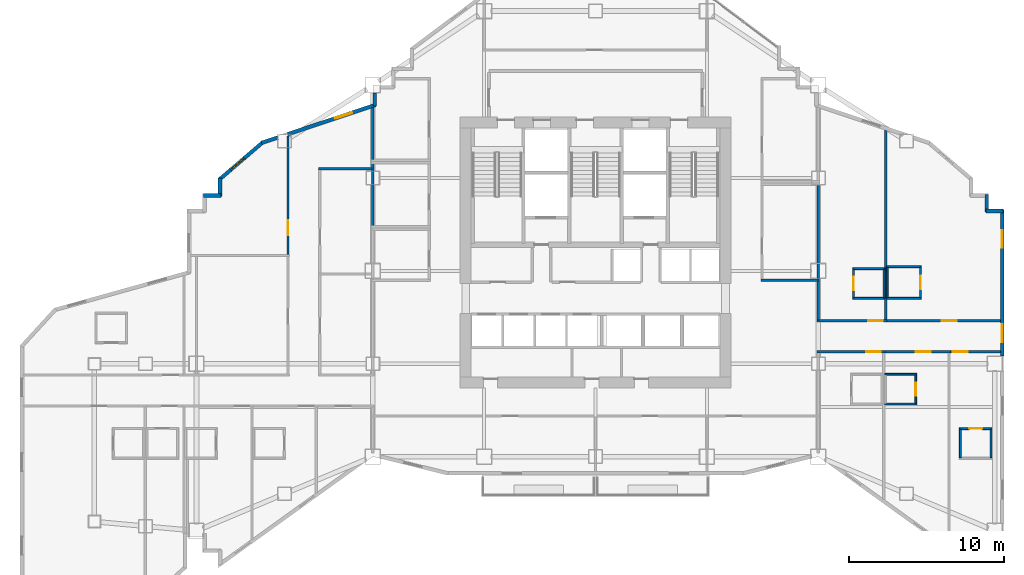
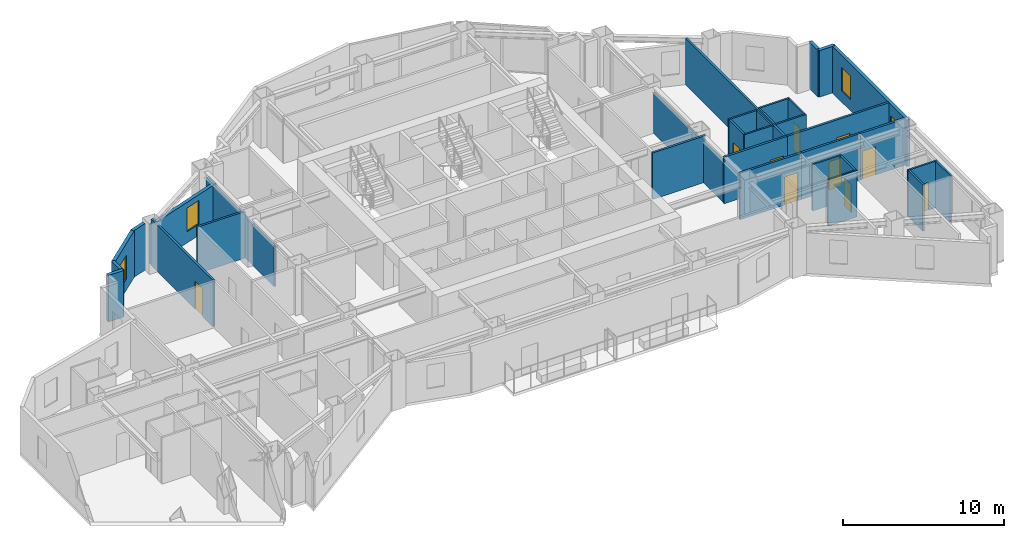
# One storey, part 10 of 14: 36 walls, 10 doors, 4 windows, 14 openings.
"""IFC4 building model written with IfcOpenShell, lengths in metres."""

from ifc_helpers import new_model, si_unit, direction, frame, frame_2d, origin, place, context, subcontext, project, spatial, rectangle, extrude, material, layer, layer_set, type_object, element, fill, save


model = new_model("IFC4")

# Units and contexts
model_context = context("Model", 3, precision=1e-05, world=origin(), true_north=direction((0.0, 1.0)))
body_context = subcontext(model_context, "Body", "Model", "MODEL_VIEW")
ifc_project = project(units=[si_unit("LENGTHUNIT", "METRE"), si_unit("AREAUNIT", "SQUARE_METRE"), si_unit("VOLUMEUNIT", "CUBIC_METRE"), si_unit("PLANEANGLEUNIT", "RADIAN"), si_unit("MASSUNIT", "GRAM", prefix="KILO")], contexts=[model_context])

# Site, building, storey
site_placement = place(None, origin())
site = spatial("IfcSite", under=ifc_project, at=site_placement, CompositionType="ELEMENT")
building_placement = place(site_placement, origin())
building = spatial("IfcBuilding", under=site, at=building_placement, Name="Haolan Belvedere Tower", CompositionType="ELEMENT")
storey_placement = place(building_placement, frame((0.0, 0.0, 132.60009765625)))
storey = spatial("IfcBuildingStorey", under=building, at=storey_placement, Name="L33", CompositionType="ELEMENT", Elevation=132.60009765625)

# Wall, openings, windows
ifc_material_1 = material(Name="Precast concrete C40/50", Category="concrete")
ifc_layer_1 = layer(ifc_material_1, 0.239990234375, Name="Precast concrete C40/50")
ifc_layer_set_1 = layer_set([ifc_layer_1], Name="Precast concrete C40/50")
wall_type_1 = type_object("IfcWallType", Name="WL-EXT-240", PredefinedType="SOLIDWALL", material=ifc_layer_set_1)
wall_1_placement = place(storey_placement, frame((64.679931640625, 28.092041015625, 0.0), z_axis=(0.0, 0.0, 1.0), x_axis=(0.0, 1.0, 0.0)))
wall_1 = element("IfcWall", 1, at=wall_1_placement, inside=storey, type_object=wall_type_1, Name="L33 pale-metal exterior spandrel wall 14.2", PredefinedType="SOLIDWALL", context=body_context, shape_type="SweptSolid", body=[
    extrude(rectangle(XDim=9.44287109375, YDim=0.239990234375, at=frame_2d((4.721435546875, 0.0))), origin(), (0.0, 0.0, 1.0), 3.539794921875),
])
opening_1_placement = place(wall_1_placement, frame((0.903076171875, 0.0, 0.85009765625)))
opening_1 = element("IfcOpeningElement", 2, at=opening_1_placement, cuts=wall_1, Name="Opening W-02", PredefinedType="OPENING", context=body_context, shape_type="SweptSolid", body=[
    extrude(rectangle(XDim=1.14990234375, YDim=1.800048828125, at=frame_2d((0.574951171875, 0.89990234375))), frame((0.0, 0.1298828125, 0.0), z_axis=(0.0, -1.0, 0.0), x_axis=(1.0, 0.0, 0.0)), (0.0, 0.0, 1.0), 0.260009765625),
])
opening_2_placement = place(wall_1_placement, frame((7.0, 0.0, 0.85009765625)))
opening_2 = element("IfcOpeningElement", 3, at=opening_2_placement, cuts=wall_1, Name="Opening W-02", PredefinedType="OPENING", context=body_context, shape_type="SweptSolid", body=[
    extrude(rectangle(XDim=1.14990234375, YDim=1.800048828125, at=frame_2d((0.574951171875, 0.89990234375))), frame((0.0, 0.1298828125, 0.0), z_axis=(0.0, -1.0, 0.0), x_axis=(1.0, 0.0, 0.0)), (0.0, 0.0, 1.0), 0.260009765625),
])
ifc_material_2 = material(Name="Anodised aluminium 6063-T6 and Low-E glass", Category="aluminium")
window_type = type_object("IfcWindowType", Name="WN-DECO-Z2", PartitioningType="SINGLE_PANEL", PredefinedType="WINDOW", material=ifc_material_2)
window_1_placement = place(opening_1_placement, origin())
window_1 = element("IfcWindow", 4, at=window_1_placement, inside=storey, type_object=window_type, Name="L33 Art Deco chevron window 1", OverallHeight=1.800048828125, OverallWidth=1.14990234375, PartitioningType="SINGLE_PANEL", PredefinedType="WINDOW", context=body_context, shape_type="SweptSolid", body=[
    extrude(rectangle(XDim=1.14990234375, YDim=1.800048828125, at=frame_2d((0.574951171875, 0.89990234375))), frame((0.0, 0.030029296875, 0.0), z_axis=(0.0, -1.0, 0.0), x_axis=(1.0, 0.0, 0.0)), (0.0, 0.0, 1.0), 0.06005859375),
])
fill(opening_1, window_1)
window_2_placement = place(opening_2_placement, origin())
window_2 = element("IfcWindow", 5, at=window_2_placement, inside=storey, type_object=window_type, Name="L33 Art Deco chevron window 2", OverallHeight=1.800048828125, OverallWidth=1.14990234375, PartitioningType="SINGLE_PANEL", PredefinedType="WINDOW", context=body_context, shape_type="SweptSolid", body=[
    extrude(rectangle(XDim=1.14990234375, YDim=1.800048828125, at=frame_2d((0.574951171875, 0.89990234375))), frame((0.0, 0.030029296875, 0.0), z_axis=(0.0, -1.0, 0.0), x_axis=(1.0, 0.0, 0.0)), (0.0, 0.0, 1.0), 0.06005859375),
])
fill(opening_2, window_2)

# Walls
wall_2_placement = place(storey_placement, frame((64.735107421875, 37.47998046875, 0.0), z_axis=(0.0, 0.0, 1.0), x_axis=(-1.0, 0.0, 0.0)))
element("IfcWall", 6, at=wall_2_placement, inside=storey, type_object=wall_type_1, Name="L33 pale-metal exterior spandrel wall 15.1", PredefinedType="SOLIDWALL", context=body_context, shape_type="SweptSolid", body=[
    extrude(rectangle(XDim=1.110107421875, YDim=0.239990234375, at=frame_2d((0.55517578125, 0.0))), origin(), (0.0, 0.0, 1.0), 3.539794921875),
])
wall_3_placement = place(storey_placement, frame((63.679931640625, 37.425048828125, 0.0), z_axis=(0.0, 0.0, 1.0), x_axis=(0.0, 1.0, 0.0)))
element("IfcWall", 7, at=wall_3_placement, inside=storey, type_object=wall_type_1, Name="L33 pale-metal exterior spandrel wall 16.1", PredefinedType="SOLIDWALL", context=body_context, shape_type="SweptSolid", body=[
    extrude(rectangle(XDim=1.10986328125, YDim=0.239990234375, at=frame_2d((0.554931640625, 0.0))), origin(), (0.0, 0.0, 1.0), 3.539794921875),
])
wall_4_placement = place(storey_placement, frame((24.1201171875, 45.10791015625, 0.0), z_axis=(0.0, 0.0, 1.0), x_axis=(0.0, -1.0, 0.0)))
element("IfcWall", 8, at=wall_4_placement, inside=storey, type_object=wall_type_1, Name="L33 pale-metal exterior spandrel wall 34.1", PredefinedType="SOLIDWALL", context=body_context, shape_type="SweptSolid", body=[
    extrude(rectangle(XDim=0.849365234375, YDim=0.239990234375, at=frame_2d((0.4248046875, 0.0))), origin(), (0.0, 0.0, 1.0), 3.0849609375),
])

# Wall, opening, window
wall_5_placement = place(storey_placement, frame((24.172119140625, 44.330810546875, 0.0), z_axis=(0.0, 0.0, 1.0), x_axis=(-0.948683298051, -0.316227766017, 0.0)))
wall_5 = element("IfcWall", 9, at=wall_5_placement, inside=storey, type_object=wall_type_1, Name="L33 pale-metal exterior spandrel wall 35.1", PredefinedType="SOLIDWALL", context=body_context, shape_type="SweptSolid", body=[
    extrude(rectangle(XDim=5.973388671875, YDim=0.239990234375, at=frame_2d((2.98681640625, 0.0))), origin(), (0.0, 0.0, 1.0), 3.0849609375),
])
opening_3_placement = place(wall_5_placement, frame((1.60009765625, 0.0, 0.85009765625)))
opening_3 = element("IfcOpeningElement", 10, at=opening_3_placement, cuts=wall_5, Name="Opening W-02", PredefinedType="OPENING", context=body_context, shape_type="SweptSolid", body=[
    extrude(rectangle(XDim=1.14990234375, YDim=1.800048828125, at=frame_2d((0.574951171875, 0.89990234375))), frame((0.0, 0.1298828125, 0.0), z_axis=(0.0, -1.0, 0.0), x_axis=(1.0, 0.0, 0.0)), (0.0, 0.0, 1.0), 0.260009765625),
])
window_3_placement = place(opening_3_placement, origin())
window_3 = element("IfcWindow", 11, at=window_3_placement, inside=storey, type_object=window_type, Name="L33 Art Deco chevron window 1", OverallHeight=1.800048828125, OverallWidth=1.14990234375, PartitioningType="SINGLE_PANEL", PredefinedType="WINDOW", context=body_context, shape_type="SweptSolid", body=[
    extrude(rectangle(XDim=1.14990234375, YDim=1.800048828125, at=frame_2d((0.574951171875, 0.89990234375))), frame((0.0, 0.030029296875, 0.0), z_axis=(0.0, -1.0, 0.0), x_axis=(1.0, 0.0, 0.0)), (0.0, 0.0, 1.0), 0.06005859375),
])
fill(opening_3, window_3)

# Wall
wall_6_placement = place(storey_placement, frame((17.85791015625, 42.226318359375, 0.0), z_axis=(0.0, 0.0, 1.0), x_axis=(-0.948639166064, -0.316360131194, 0.0)))
element("IfcWall", 12, at=wall_6_placement, inside=storey, type_object=wall_type_1, Name="L33 pale-metal exterior spandrel wall 35.2", PredefinedType="SOLIDWALL", context=body_context, shape_type="SweptSolid", body=[
    extrude(rectangle(XDim=1.106689453125, YDim=0.239990234375, at=frame_2d((0.55322265625, 0.0))), origin(), (0.0, 0.0, 1.0), 3.539794921875),
])

# Wall, opening, window
wall_7_placement = place(storey_placement, frame((16.902099609375, 41.929443359375, 0.0), z_axis=(0.0, 0.0, 1.0), x_axis=(-0.759275136126, -0.650769750112, 0.0)))
wall_7 = element("IfcWall", 13, at=wall_7_placement, inside=storey, type_object=wall_type_1, Name="L33 pale-metal exterior spandrel wall 36.1", PredefinedType="SOLIDWALL", context=body_context, shape_type="SweptSolid", body=[
    extrude(rectangle(XDim=3.71923828125, YDim=0.239990234375, at=frame_2d((1.859619140625, 0.0))), origin(), (0.0, 0.0, 1.0), 3.539794921875),
])
opening_4_placement = place(wall_7_placement, frame((1.60009765625, 0.0, 0.85009765625)))
opening_4 = element("IfcOpeningElement", 14, at=opening_4_placement, cuts=wall_7, Name="Opening W-02", PredefinedType="OPENING", context=body_context, shape_type="SweptSolid", body=[
    extrude(rectangle(XDim=1.14990234375, YDim=1.800048828125, at=frame_2d((0.574951171875, 0.89990234375))), frame((0.0, 0.1298828125, 0.0), z_axis=(0.0, -1.0, 0.0), x_axis=(1.0, 0.0, 0.0)), (0.0, 0.0, 1.0), 0.260009765625),
])
window_4_placement = place(opening_4_placement, origin())
window_4 = element("IfcWindow", 15, at=window_4_placement, inside=storey, type_object=window_type, Name="L33 Art Deco chevron window 1", OverallHeight=1.800048828125, OverallWidth=1.14990234375, PartitioningType="SINGLE_PANEL", PredefinedType="WINDOW", context=body_context, shape_type="SweptSolid", body=[
    extrude(rectangle(XDim=1.14990234375, YDim=1.800048828125, at=frame_2d((0.574951171875, 0.89990234375))), frame((0.0, 0.030029296875, 0.0), z_axis=(0.0, -1.0, 0.0), x_axis=(1.0, 0.0, 0.0)), (0.0, 0.0, 1.0), 0.06005859375),
])
fill(opening_4, window_4)

# Walls
wall_8_placement = place(storey_placement, frame((14.1201171875, 39.599853515625, 0.0), z_axis=(0.0, 0.0, 1.0), x_axis=(0.0, -1.0, 0.0)))
element("IfcWall", 16, at=wall_8_placement, inside=storey, type_object=wall_type_1, Name="L33 pale-metal exterior spandrel wall 37.1", PredefinedType="SOLIDWALL", context=body_context, shape_type="SweptSolid", body=[
    extrude(rectangle(XDim=1.1748046875, YDim=0.239990234375, at=frame_2d((0.58740234375, 0.0))), origin(), (0.0, 0.0, 1.0), 3.539794921875),
])
wall_9_placement = place(storey_placement, frame((14.175048828125, 38.47998046875, 0.0), z_axis=(0.0, 0.0, 1.0), x_axis=(-1.0, 0.0, 0.0)))
element("IfcWall", 17, at=wall_9_placement, inside=storey, type_object=wall_type_1, Name="L33 pale-metal exterior spandrel wall 38.1", PredefinedType="SOLIDWALL", context=body_context, shape_type="SweptSolid", body=[
    extrude(rectangle(XDim=1.110107421875, YDim=0.239990234375, at=frame_2d((0.55517578125, 0.0))), origin(), (0.0, 0.0, 1.0), 3.539794921875),
])
ifc_material_3 = material(Name="Double gypsum acoustic stud partition", Category="masonry")
ifc_layer_2 = layer(ifc_material_3, 0.14990234375, Name="Double gypsum acoustic stud partition")
ifc_layer_set_2 = layer_set([ifc_layer_2], Name="Double gypsum acoustic stud partition")
wall_type_2 = type_object("IfcWallType", Name="WL-PART-150", PredefinedType="PARTITIONING", material=ifc_layer_set_2)
wall_10_placement = place(storey_placement, frame((24.0, 36.52001953125, 0.0), z_axis=(0.0, 0.0, 1.0), x_axis=(0.0, 1.0, 0.0)))
element("IfcWall", 18, at=wall_10_placement, inside=storey, type_object=wall_type_2, Name="L33 interior partition IW-L33-PNT-W", PredefinedType="PARTITIONING", context=body_context, shape_type="SweptSolid", body=[
    extrude(rectangle(XDim=4.02001953125, YDim=0.14990234375, at=frame_2d((2.010009765625, 0.0))), origin(), (0.0, 0.0, 1.0), 3.0849609375),
])
wall_11_placement = place(storey_placement, frame((24.0, 40.820068359375, 0.0), z_axis=(0.0, 0.0, 1.0), x_axis=(0.0, 1.0, 0.0)))
element("IfcWall", 19, at=wall_11_placement, inside=storey, type_object=wall_type_2, Name="L33 interior partition IW-L33-STY-W", PredefinedType="PARTITIONING", context=body_context, shape_type="SweptSolid", body=[
    extrude(rectangle(XDim=3.3427734375, YDim=0.14990234375, at=frame_2d((1.67138671875, 0.0))), origin(), (0.0, 0.0, 1.0), 3.0849609375),
])
wall_12_placement = place(storey_placement, frame((49.080078125, 33.0, 0.0), z_axis=(0.0, 0.0, 1.0), x_axis=(1.0, 0.0, 0.0)))
element("IfcWall", 20, at=wall_12_placement, inside=storey, type_object=wall_type_2, Name="L33 interior partition IW-L33-HSK-S", PredefinedType="PARTITIONING", context=body_context, shape_type="SweptSolid", body=[
    extrude(rectangle(XDim=3.7998046875, YDim=0.14990234375, at=frame_2d((1.89990234375, 0.0))), origin(), (0.0, 0.0, 1.0), 3.539794921875),
])
wall_13_placement = place(storey_placement, frame((52.800048828125, 33.06005859375, 0.0), z_axis=(0.0, 0.0, 1.0), x_axis=(0.0, 1.0, 0.0)))
element("IfcWall", 21, at=wall_13_placement, inside=storey, type_object=wall_type_2, Name="L33 interior partition IW-L33-HSK-E", PredefinedType="PARTITIONING", context=body_context, shape_type="SweptSolid", body=[
    extrude(rectangle(XDim=6.079833984375, YDim=0.14990234375, at=frame_2d((3.0400390625, 0.0))), origin(), (0.0, 0.0, 1.0), 3.0849609375),
])

# Wall, opening, door
wall_14_placement = place(storey_placement, frame((18.52001953125, 34.659912109375, 0.0), z_axis=(0.0, 0.0, 1.0), x_axis=(0.0, 1.0, 0.0)))
wall_14 = element("IfcWall", 22, at=wall_14_placement, inside=storey, type_object=wall_type_2, Name="L33 interior partition IW-L33-T2W2-E", PredefinedType="PARTITIONING", context=body_context, shape_type="SweptSolid", body=[
    extrude(rectangle(XDim=7.67626953125, YDim=0.14990234375, at=frame_2d((3.838134765625, 0.0))), origin(), (0.0, 0.0, 1.0), 3.539794921875),
])
opening_5_placement = place(wall_14_placement, frame((2.21484375, 0.0, 0.0), z_axis=(0.0, 0.0, 1.0), x_axis=(-1.0, 0.0, 0.0)))
opening_5 = element("IfcOpeningElement", 23, at=opening_5_placement, cuts=wall_14, Name="Opening ID-03", PredefinedType="OPENING", context=body_context, shape_type="SweptSolid", body=[
    extrude(rectangle(XDim=0.949951171875, YDim=2.1201171875, at=frame_2d((0.47509765625, 1.06005859375))), frame((0.0, 0.0849609375, 0.0), z_axis=(0.0, -1.0, 0.0), x_axis=(1.0, 0.0, 0.0)), (0.0, 0.0, 1.0), 0.169921875),
])
ifc_material_4 = material(Name="Painted solid-core timber", Category="wood")
door_type_1 = type_object("IfcDoorType", Name="DR-INT-950", OperationType="NOTDEFINED", PredefinedType="DOOR", material=ifc_material_4)
door_1_placement = place(opening_5_placement, origin())
door_1 = element("IfcDoor", 24, at=door_1_placement, inside=storey, type_object=door_type_1, Name="L33 door ID-L33-T2W2", OperationType="SINGLE_SWING_RIGHT", OverallHeight=2.1201171875, OverallWidth=0.949951171875, PredefinedType="DOOR", context=body_context, shape_type="SweptSolid", body=[
    extrude(rectangle(XDim=0.949951171875, YDim=2.1201171875, at=frame_2d((0.47509765625, 1.06005859375))), frame((0.0, 0.02490234375, 0.0), z_axis=(0.0, -1.0, 0.0), x_axis=(1.0, 0.0, 0.0)), (0.0, 0.0, 1.0), 0.050048828125),
])
fill(opening_5, door_1)

# Wall
wall_15_placement = place(storey_placement, frame((20.5, 40.199951171875, 0.0), z_axis=(0.0, 0.0, 1.0), x_axis=(1.0, 0.0, 0.0)))
element("IfcWall", 25, at=wall_15_placement, inside=storey, type_object=wall_type_2, Name="L33 interior partition IW-L33-T2E2-N", PredefinedType="PARTITIONING", context=body_context, shape_type="SweptSolid", body=[
    extrude(rectangle(XDim=3.43994140625, YDim=0.14990234375, at=frame_2d((1.719970703125, 0.0))), origin(), (0.0, 0.0, 1.0), 3.539794921875),
])

# Wall, opening, door
wall_16_placement = place(storey_placement, frame((52.699951171875, 30.3798828125, 0.0), z_axis=(0.0, 0.0, 1.0), x_axis=(1.0, 0.0, 0.0)))
wall_16 = element("IfcWall", 26, at=wall_16_placement, inside=storey, type_object=wall_type_2, Name="L33 interior partition IW-L33-T4N1-S", PredefinedType="PARTITIONING", context=body_context, shape_type="SweptSolid", body=[
    extrude(rectangle(XDim=4.550048828125, YDim=0.14990234375, at=frame_2d((2.27490234375, 0.0))), origin(), (0.0, 0.0, 1.0), 3.539794921875),
])
opening_6_placement = place(wall_16_placement, frame((3.322998046875, 0.0, 0.0)))
opening_6 = element("IfcOpeningElement", 27, at=opening_6_placement, cuts=wall_16, Name="Opening ID-02", PredefinedType="OPENING", context=body_context, shape_type="SweptSolid", body=[
    extrude(rectangle(XDim=0.949951171875, YDim=2.14990234375, at=frame_2d((0.47509765625, 1.074951171875))), frame((0.0, 0.0849609375, 0.0), z_axis=(0.0, -1.0, 0.0), x_axis=(1.0, 0.0, 0.0)), (0.0, 0.0, 1.0), 0.169921875),
])
ifc_material_5 = material(Name="Acoustic oak veneer fire-rated timber", Category="wood")
door_type_2 = type_object("IfcDoorType", Name="DR-GUEST-950", OperationType="NOTDEFINED", PredefinedType="DOOR", material=ifc_material_5)
door_2_placement = place(opening_6_placement, origin())
door_2 = element("IfcDoor", 28, at=door_2_placement, inside=storey, type_object=door_type_2, Name="L33 door ID-L33-T4N1-ENT", OperationType="SINGLE_SWING_RIGHT", OverallHeight=2.14990234375, OverallWidth=0.949951171875, PredefinedType="DOOR", context=body_context, shape_type="SweptSolid", body=[
    extrude(rectangle(XDim=0.949951171875, YDim=2.14990234375, at=frame_2d((0.47509765625, 1.074951171875))), frame((0.0, 0.02490234375, 0.0), z_axis=(0.0, -1.0, 0.0), x_axis=(1.0, 0.0, 0.0)), (0.0, 0.0, 1.0), 0.050048828125),
])
fill(opening_6, door_2)

# Walls
wall_17_placement = place(storey_placement, frame((52.800048828125, 30.43994140625, 0.0), z_axis=(0.0, 0.0, 1.0), x_axis=(0.0, 1.0, 0.0)))
element("IfcWall", 29, at=wall_17_placement, inside=storey, type_object=wall_type_2, Name="L33 interior partition IW-L33-T4N1-W", PredefinedType="PARTITIONING", context=body_context, shape_type="SweptSolid", body=[
    extrude(rectangle(XDim=2.5, YDim=0.14990234375, at=frame_2d((1.25, 0.0))), origin(), (0.0, 0.0, 1.0), 3.0849609375),
])
wall_18_placement = place(storey_placement, frame((57.14990234375, 30.43994140625, 0.0), z_axis=(0.0, 0.0, 1.0), x_axis=(0.0, 1.0, 0.0)))
element("IfcWall", 30, at=wall_18_placement, inside=storey, type_object=wall_type_2, Name="L33 interior partition IW-L33-T4N1-E", PredefinedType="PARTITIONING", context=body_context, shape_type="SweptSolid", body=[
    extrude(rectangle(XDim=12.27294921875, YDim=0.14990234375, at=frame_2d((6.136474609375, 0.0))), origin(), (0.0, 0.0, 1.0), 3.539794921875),
])

# Wall, opening, door
wall_19_placement = place(storey_placement, frame((57.251953125, 30.3798828125, 0.0), z_axis=(0.0, 0.0, 1.0), x_axis=(1.0, 0.0, 0.0)))
wall_19 = element("IfcWall", 31, at=wall_19_placement, inside=storey, type_object=wall_type_2, Name="L33 interior partition IW-L33-T4N2-S", PredefinedType="PARTITIONING", context=body_context, shape_type="SweptSolid", body=[
    extrude(rectangle(XDim=7.322998046875, YDim=0.14990234375, at=frame_2d((3.66162109375, 0.0))), origin(), (0.0, 0.0, 1.0), 3.539794921875),
])
opening_7_placement = place(wall_19_placement, frame((3.53662109375, 0.0, 0.0)))
opening_7 = element("IfcOpeningElement", 32, at=opening_7_placement, cuts=wall_19, Name="Opening ID-01", PredefinedType="OPENING", context=body_context, shape_type="SweptSolid", body=[
    extrude(rectangle(XDim=0.949951171875, YDim=2.179931640625, at=frame_2d((0.47509765625, 1.08984375))), frame((0.0, 0.0849609375, 0.0), z_axis=(0.0, -1.0, 0.0), x_axis=(1.0, 0.0, 0.0)), (0.0, 0.0, 1.0), 0.169921875),
])
ifc_material_6 = material(Name="Acoustic walnut veneer fire-rated timber", Category="wood")
door_type_3 = type_object("IfcDoorType", Name="DR-SUITE-950", OperationType="NOTDEFINED", PredefinedType="DOOR", material=ifc_material_6)
door_3_placement = place(opening_7_placement, origin())
door_3 = element("IfcDoor", 33, at=door_3_placement, inside=storey, type_object=door_type_3, Name="L33 door ID-L33-T4N2-ENT", OperationType="SINGLE_SWING_LEFT", OverallHeight=2.179931640625, OverallWidth=0.949951171875, PredefinedType="DOOR", context=body_context, shape_type="SweptSolid", body=[
    extrude(rectangle(XDim=0.949951171875, YDim=2.179931640625, at=frame_2d((0.47509765625, 1.08984375))), frame((0.0, 0.02490234375, 0.0), z_axis=(0.0, -1.0, 0.0), x_axis=(1.0, 0.0, 0.0)), (0.0, 0.0, 1.0), 0.050048828125),
])
fill(opening_7, door_3)

wall_20_placement = place(storey_placement, frame((52.699951171875, 28.3701171875, 0.0), z_axis=(0.0, 0.0, 1.0), x_axis=(1.0, 0.0, 0.0)))
wall_20 = element("IfcWall", 34, at=wall_20_placement, inside=storey, type_object=wall_type_2, Name="L33 interior partition IW-L33-T4S1-N", PredefinedType="PARTITIONING", context=body_context, shape_type="SweptSolid", body=[
    extrude(rectangle(XDim=4.420166015625, YDim=0.14990234375, at=frame_2d((2.2099609375, 0.0))), origin(), (0.0, 0.0, 1.0), 3.539794921875),
])
opening_8_placement = place(wall_20_placement, frame((4.1474609375, 0.0, 0.0), z_axis=(0.0, 0.0, 1.0), x_axis=(-1.0, 0.0, 0.0)))
opening_8 = element("IfcOpeningElement", 35, at=opening_8_placement, cuts=wall_20, Name="Opening ID-02", PredefinedType="OPENING", context=body_context, shape_type="SweptSolid", body=[
    extrude(rectangle(XDim=0.949951171875, YDim=2.14990234375, at=frame_2d((0.47509765625, 1.074951171875))), frame((0.0, 0.0849609375, 0.0), z_axis=(0.0, -1.0, 0.0), x_axis=(1.0, 0.0, 0.0)), (0.0, 0.0, 1.0), 0.169921875),
])
door_4_placement = place(opening_8_placement, origin())
door_4 = element("IfcDoor", 36, at=door_4_placement, inside=storey, type_object=door_type_2, Name="L33 door ID-L33-T4S1-ENT", OperationType="SINGLE_SWING_RIGHT", OverallHeight=2.14990234375, OverallWidth=0.949951171875, PredefinedType="DOOR", context=body_context, shape_type="SweptSolid", body=[
    extrude(rectangle(XDim=0.949951171875, YDim=2.14990234375, at=frame_2d((0.47509765625, 1.074951171875))), frame((0.0, 0.02490234375, 0.0), z_axis=(0.0, -1.0, 0.0), x_axis=(1.0, 0.0, 0.0)), (0.0, 0.0, 1.0), 0.050048828125),
])
fill(opening_8, door_4)

wall_21_placement = place(storey_placement, frame((57.1220703125, 28.3701171875, 0.0), z_axis=(0.0, 0.0, 1.0), x_axis=(1.0, 0.0, 0.0)))
wall_21 = element("IfcWall", 37, at=wall_21_placement, inside=storey, type_object=wall_type_2, Name="L33 interior partition IW-L33-T4S2-N", PredefinedType="PARTITIONING", context=body_context, shape_type="SweptSolid", body=[
    extrude(rectangle(XDim=4.22802734375, YDim=0.14990234375, at=frame_2d((2.114013671875, 0.0))), origin(), (0.0, 0.0, 1.0), 3.539794921875),
])
opening_9_placement = place(wall_21_placement, frame((2.93359375, 0.0, 0.0), z_axis=(0.0, 0.0, 1.0), x_axis=(-1.0, 0.0, 0.0)))
opening_9 = element("IfcOpeningElement", 38, at=opening_9_placement, cuts=wall_21, Name="Opening ID-02", PredefinedType="OPENING", context=body_context, shape_type="SweptSolid", body=[
    extrude(rectangle(XDim=0.949951171875, YDim=2.14990234375, at=frame_2d((0.47509765625, 1.074951171875))), frame((0.0, 0.0849609375, 0.0), z_axis=(0.0, -1.0, 0.0), x_axis=(1.0, 0.0, 0.0)), (0.0, 0.0, 1.0), 0.169921875),
])
door_5_placement = place(opening_9_placement, origin())
door_5 = element("IfcDoor", 39, at=door_5_placement, inside=storey, type_object=door_type_2, Name="L33 door ID-L33-T4S2-ENT", OperationType="SINGLE_SWING_LEFT", OverallHeight=2.14990234375, OverallWidth=0.949951171875, PredefinedType="DOOR", context=body_context, shape_type="SweptSolid", body=[
    extrude(rectangle(XDim=0.949951171875, YDim=2.14990234375, at=frame_2d((0.47509765625, 1.074951171875))), frame((0.0, 0.02490234375, 0.0), z_axis=(0.0, -1.0, 0.0), x_axis=(1.0, 0.0, 0.0)), (0.0, 0.0, 1.0), 0.050048828125),
])
fill(opening_9, door_5)

wall_22_placement = place(storey_placement, frame((61.35205078125, 28.3701171875, 0.0), z_axis=(0.0, 0.0, 1.0), x_axis=(1.0, 0.0, 0.0)))
wall_22 = element("IfcWall", 40, at=wall_22_placement, inside=storey, type_object=wall_type_2, Name="L33 interior partition IW-L33-T4S3-N", PredefinedType="PARTITIONING", context=body_context, shape_type="SweptSolid", body=[
    extrude(rectangle(XDim=3.222900390625, YDim=0.14990234375, at=frame_2d((1.611328125, 0.0))), origin(), (0.0, 0.0, 1.0), 3.539794921875),
])
opening_10_placement = place(wall_22_placement, frame((1.08984375, 0.0, 0.0), z_axis=(0.0, 0.0, 1.0), x_axis=(-1.0, 0.0, 0.0)))
opening_10 = element("IfcOpeningElement", 41, at=opening_10_placement, cuts=wall_22, Name="Opening ID-02", PredefinedType="OPENING", context=body_context, shape_type="SweptSolid", body=[
    extrude(rectangle(XDim=0.949951171875, YDim=2.14990234375, at=frame_2d((0.47509765625, 1.074951171875))), frame((0.0, 0.0849609375, 0.0), z_axis=(0.0, -1.0, 0.0), x_axis=(1.0, 0.0, 0.0)), (0.0, 0.0, 1.0), 0.169921875),
])
door_6_placement = place(opening_10_placement, origin())
door_6 = element("IfcDoor", 42, at=door_6_placement, inside=storey, type_object=door_type_2, Name="L33 door ID-L33-T4S3-ENT", OperationType="SINGLE_SWING_RIGHT", OverallHeight=2.14990234375, OverallWidth=0.949951171875, PredefinedType="DOOR", context=body_context, shape_type="SweptSolid", body=[
    extrude(rectangle(XDim=0.949951171875, YDim=2.14990234375, at=frame_2d((0.47509765625, 1.074951171875))), frame((0.0, 0.02490234375, 0.0), z_axis=(0.0, -1.0, 0.0), x_axis=(1.0, 0.0, 0.0)), (0.0, 0.0, 1.0), 0.050048828125),
])
fill(opening_10, door_6)

# Walls
ifc_material_7 = material(Name="Moisture-resistant gypsum tile partition", Category="masonry")
ifc_layer_3 = layer(ifc_material_7, 0.1201171875, Name="Moisture-resistant gypsum tile partition")
ifc_layer_set_3 = layer_set([ifc_layer_3], Name="Moisture-resistant gypsum tile partition")
wall_type_3 = type_object("IfcWallType", Name="WL-WET-120", PredefinedType="PARTITIONING", material=ifc_layer_set_3)
for number, where, z_axis, x_axis, name in (
    (43, (55.010009765625, 33.75, 0.0), (0.0, 0.0, 1.0), (1.0, 0.0, 0.0), "L33 interior partition IW-L33-T4N1-BN"),
    (44, (55.010009765625, 31.830078125, 0.0), (0.0, 0.0, 1.0), (1.0, 0.0, 0.0), "L33 interior partition IW-L33-T4N1-BS"),
):
    element("IfcWall", number, at=place(storey_placement, frame(where, z_axis=z_axis, x_axis=x_axis)), inside=storey, type_object=wall_type_3, Name=name, PredefinedType="PARTITIONING", context=body_context, shape_type="SweptSolid", body=[
        extrude(rectangle(XDim=2.080078125, YDim=0.1201171875, at=frame_2d((1.0400390625, 0.0))), origin(), (0.0, 0.0, 1.0), 3.539794921875),
    ])

# Wall, opening, door
wall_23_placement = place(storey_placement, frame((55.070068359375, 31.875, 0.0), z_axis=(0.0, 0.0, 1.0), x_axis=(0.0, 1.0, 0.0)))
wall_23 = element("IfcWall", 45, at=wall_23_placement, inside=storey, type_object=wall_type_3, Name="L33 interior partition IW-L33-T4N1-BW", PredefinedType="PARTITIONING", context=body_context, shape_type="SweptSolid", body=[
    extrude(rectangle(XDim=1.830078125, YDim=0.1201171875, at=frame_2d((0.9150390625, 0.0))), origin(), (0.0, 0.0, 1.0), 3.539794921875),
])
opening_11_placement = place(wall_23_placement, frame((1.340087890625, 0.0, 0.0), z_axis=(0.0, 0.0, 1.0), x_axis=(-1.0, 0.0, 0.0)))
opening_11 = element("IfcOpeningElement", 46, at=opening_11_placement, cuts=wall_23, Name="Opening ID-05", PredefinedType="OPENING", context=body_context, shape_type="SweptSolid", body=[
    extrude(rectangle(XDim=0.85009765625, YDim=2.10009765625, at=frame_2d((0.425048828125, 1.050048828125))), frame((0.0, 0.070068359375, 0.0), z_axis=(0.0, -1.0, 0.0), x_axis=(1.0, 0.0, 0.0)), (0.0, 0.0, 1.0), 0.14013671875),
])
ifc_material_8 = material(Name="Moisture-resistant lacquered timber", Category="wood")
door_type_4 = type_object("IfcDoorType", Name="DR-BATH-850", OperationType="NOTDEFINED", PredefinedType="DOOR", material=ifc_material_8)
door_7_placement = place(opening_11_placement, origin())
door_7 = element("IfcDoor", 47, at=door_7_placement, inside=storey, type_object=door_type_4, Name="L33 door ID-L33-T4N1-BATH", OperationType="SINGLE_SWING_LEFT", OverallHeight=2.10009765625, OverallWidth=0.85009765625, PredefinedType="DOOR", context=body_context, shape_type="SweptSolid", body=[
    extrude(rectangle(XDim=0.85009765625, YDim=2.10009765625, at=frame_2d((0.425048828125, 1.050048828125))), frame((0.0, 0.02490234375, 0.0), z_axis=(0.0, -1.0, 0.0), x_axis=(1.0, 0.0, 0.0)), (0.0, 0.0, 1.0), 0.050048828125),
])
fill(opening_11, door_7)

# Walls
wall_24_placement = place(storey_placement, frame((57.050048828125, 31.875, 0.0), z_axis=(0.0, 0.0, 1.0), x_axis=(0.0, 1.0, 0.0)))
element("IfcWall", 48, at=wall_24_placement, inside=storey, type_object=wall_type_3, Name="L33 interior partition IW-L33-T4N1-BE", PredefinedType="PARTITIONING", context=body_context, shape_type="SweptSolid", body=[
    extrude(rectangle(XDim=1.830078125, YDim=0.1201171875, at=frame_2d((0.9150390625, 0.0))), origin(), (0.0, 0.0, 1.0), 3.539794921875),
])
for number, where, z_axis, x_axis, name in (
    (49, (57.2099609375, 33.8798828125, 0.0), (0.0, 0.0, 1.0), (1.0, 0.0, 0.0), "L33 interior partition IW-L33-T4N2-BN"),
    (50, (57.2099609375, 31.830078125, 0.0), (0.0, 0.0, 1.0), (1.0, 0.0, 0.0), "L33 interior partition IW-L33-T4N2-BS"),
):
    element("IfcWall", number, at=place(storey_placement, frame(where, z_axis=z_axis, x_axis=x_axis)), inside=storey, type_object=wall_type_3, Name=name, PredefinedType="PARTITIONING", context=body_context, shape_type="SweptSolid", body=[
        extrude(rectangle(XDim=2.25, YDim=0.1201171875, at=frame_2d((1.125, 0.0))), origin(), (0.0, 0.0, 1.0), 3.539794921875),
    ])
wall_25_placement = place(storey_placement, frame((57.25, 31.875, 0.0), z_axis=(0.0, 0.0, 1.0), x_axis=(0.0, 1.0, 0.0)))
element("IfcWall", 51, at=wall_25_placement, inside=storey, type_object=wall_type_3, Name="L33 interior partition IW-L33-T4N2-BW", PredefinedType="PARTITIONING", context=body_context, shape_type="SweptSolid", body=[
    extrude(rectangle(XDim=1.9599609375, YDim=0.1201171875, at=frame_2d((0.97998046875, 0.0))), origin(), (0.0, 0.0, 1.0), 3.539794921875),
])

# Wall, opening, door
wall_26_placement = place(storey_placement, frame((59.39990234375, 31.875, 0.0), z_axis=(0.0, 0.0, 1.0), x_axis=(0.0, 1.0, 0.0)))
wall_26 = element("IfcWall", 52, at=wall_26_placement, inside=storey, type_object=wall_type_3, Name="L33 interior partition IW-L33-T4N2-BE", PredefinedType="PARTITIONING", context=body_context, shape_type="SweptSolid", body=[
    extrude(rectangle(XDim=1.9599609375, YDim=0.1201171875, at=frame_2d((0.97998046875, 0.0))), origin(), (0.0, 0.0, 1.0), 3.539794921875),
])
opening_12_placement = place(wall_26_placement, frame((0.554931640625, 0.0, 0.0)))
opening_12 = element("IfcOpeningElement", 53, at=opening_12_placement, cuts=wall_26, Name="Opening ID-05", PredefinedType="OPENING", context=body_context, shape_type="SweptSolid", body=[
    extrude(rectangle(XDim=0.85009765625, YDim=2.10009765625, at=frame_2d((0.425048828125, 1.050048828125))), frame((0.0, 0.070068359375, 0.0), z_axis=(0.0, -1.0, 0.0), x_axis=(1.0, 0.0, 0.0)), (0.0, 0.0, 1.0), 0.14013671875),
])
door_8_placement = place(opening_12_placement, origin())
door_8 = element("IfcDoor", 54, at=door_8_placement, inside=storey, type_object=door_type_4, Name="L33 door ID-L33-T4N2-BATH", OperationType="SINGLE_SWING_RIGHT", OverallHeight=2.10009765625, OverallWidth=0.85009765625, PredefinedType="DOOR", context=body_context, shape_type="SweptSolid", body=[
    extrude(rectangle(XDim=0.85009765625, YDim=2.10009765625, at=frame_2d((0.425048828125, 1.050048828125))), frame((0.0, 0.02490234375, 0.0), z_axis=(0.0, -1.0, 0.0), x_axis=(1.0, 0.0, 0.0)), (0.0, 0.0, 1.0), 0.050048828125),
])
fill(opening_12, door_8)

# Walls
for number, where, z_axis, x_axis, name in (
    (55, (57.080078125, 26.919921875, 0.0), (0.0, 0.0, 1.0), (1.0, 0.0, 0.0), "L33 interior partition IW-L33-T4S2-BN"),
    (56, (57.080078125, 25.0, 0.0), (0.0, 0.0, 1.0), (1.0, 0.0, 0.0), "L33 interior partition IW-L33-T4S2-BS"),
):
    element("IfcWall", number, at=place(storey_placement, frame(where, z_axis=z_axis, x_axis=x_axis)), inside=storey, type_object=wall_type_3, Name=name, PredefinedType="PARTITIONING", context=body_context, shape_type="SweptSolid", body=[
        extrude(rectangle(XDim=2.079833984375, YDim=0.1201171875, at=frame_2d((1.0400390625, 0.0))), origin(), (0.0, 0.0, 1.0), 3.539794921875),
    ])

# Wall, opening, door
wall_27_placement = place(storey_placement, frame((59.10009765625, 25.044921875, 0.0), z_axis=(0.0, 0.0, 1.0), x_axis=(0.0, 1.0, 0.0)))
wall_27 = element("IfcWall", 57, at=wall_27_placement, inside=storey, type_object=wall_type_3, Name="L33 interior partition IW-L33-T4S2-BE", PredefinedType="PARTITIONING", context=body_context, shape_type="SweptSolid", body=[
    extrude(rectangle(XDim=1.830078125, YDim=0.1201171875, at=frame_2d((0.9150390625, 0.0))), origin(), (0.0, 0.0, 1.0), 3.539794921875),
])
opening_13_placement = place(wall_27_placement, frame((0.489990234375, 0.0, 0.0)))
opening_13 = element("IfcOpeningElement", 58, at=opening_13_placement, cuts=wall_27, Name="Opening ID-05", PredefinedType="OPENING", context=body_context, shape_type="SweptSolid", body=[
    extrude(rectangle(XDim=0.85009765625, YDim=2.10009765625, at=frame_2d((0.425048828125, 1.050048828125))), frame((0.0, 0.070068359375, 0.0), z_axis=(0.0, -1.0, 0.0), x_axis=(1.0, 0.0, 0.0)), (0.0, 0.0, 1.0), 0.14013671875),
])
door_9_placement = place(opening_13_placement, origin())
door_9 = element("IfcDoor", 59, at=door_9_placement, inside=storey, type_object=door_type_4, Name="L33 door ID-L33-T4S2-BATH", OperationType="SINGLE_SWING_RIGHT", OverallHeight=2.10009765625, OverallWidth=0.85009765625, PredefinedType="DOOR", context=body_context, shape_type="SweptSolid", body=[
    extrude(rectangle(XDim=0.85009765625, YDim=2.10009765625, at=frame_2d((0.425048828125, 1.050048828125))), frame((0.0, 0.02490234375, 0.0), z_axis=(0.0, -1.0, 0.0), x_axis=(1.0, 0.0, 0.0)), (0.0, 0.0, 1.0), 0.050048828125),
])
fill(opening_13, door_9)

wall_28_placement = place(storey_placement, frame((61.9169921875, 23.409912109375, 0.0), z_axis=(0.0, 0.0, 1.0), x_axis=(1.0, 0.0, 0.0)))
wall_28 = element("IfcWall", 60, at=wall_28_placement, inside=storey, type_object=wall_type_3, Name="L33 interior partition IW-L33-T4S3-BN", PredefinedType="PARTITIONING", context=body_context, shape_type="SweptSolid", body=[
    extrude(rectangle(XDim=2.10009765625, YDim=0.1201171875, at=frame_2d((1.050048828125, 0.0))), origin(), (0.0, 0.0, 1.0), 3.539794921875),
])
opening_14_placement = place(wall_28_placement, frame((1.47509765625, 0.0, 0.0), z_axis=(0.0, 0.0, 1.0), x_axis=(-1.0, 0.0, 0.0)))
opening_14 = element("IfcOpeningElement", 61, at=opening_14_placement, cuts=wall_28, Name="Opening ID-05", PredefinedType="OPENING", context=body_context, shape_type="SweptSolid", body=[
    extrude(rectangle(XDim=0.85009765625, YDim=2.10009765625, at=frame_2d((0.425048828125, 1.050048828125))), frame((0.0, 0.070068359375, 0.0), z_axis=(0.0, -1.0, 0.0), x_axis=(1.0, 0.0, 0.0)), (0.0, 0.0, 1.0), 0.14013671875),
])
door_10_placement = place(opening_14_placement, origin())
door_10 = element("IfcDoor", 62, at=door_10_placement, inside=storey, type_object=door_type_4, Name="L33 door ID-L33-T4S3-BATH", OperationType="SINGLE_SWING_LEFT", OverallHeight=2.10009765625, OverallWidth=0.85009765625, PredefinedType="DOOR", context=body_context, shape_type="SweptSolid", body=[
    extrude(rectangle(XDim=0.85009765625, YDim=2.10009765625, at=frame_2d((0.425048828125, 1.050048828125))), frame((0.0, 0.02490234375, 0.0), z_axis=(0.0, -1.0, 0.0), x_axis=(1.0, 0.0, 0.0)), (0.0, 0.0, 1.0), 0.050048828125),
])
fill(opening_14, door_10)

# Walls
for number, where, z_axis, x_axis, name in (
    (63, (61.97705078125, 21.534912109375, 0.0), (0.0, 0.0, 1.0), (0.0, 1.0, 0.0), "L33 interior partition IW-L33-T4S3-BW"),
    (64, (63.95703125, 21.534912109375, 0.0), (0.0, 0.0, 1.0), (0.0, 1.0, 0.0), "L33 interior partition IW-L33-T4S3-BE"),
):
    element("IfcWall", number, at=place(storey_placement, frame(where, z_axis=z_axis, x_axis=x_axis)), inside=storey, type_object=wall_type_3, Name=name, PredefinedType="PARTITIONING", context=body_context, shape_type="SweptSolid", body=[
        extrude(rectangle(XDim=1.830078125, YDim=0.1201171875, at=frame_2d((0.9150390625, 0.0))), origin(), (0.0, 0.0, 1.0), 3.539794921875),
    ])

save(model, "model.ifc")
